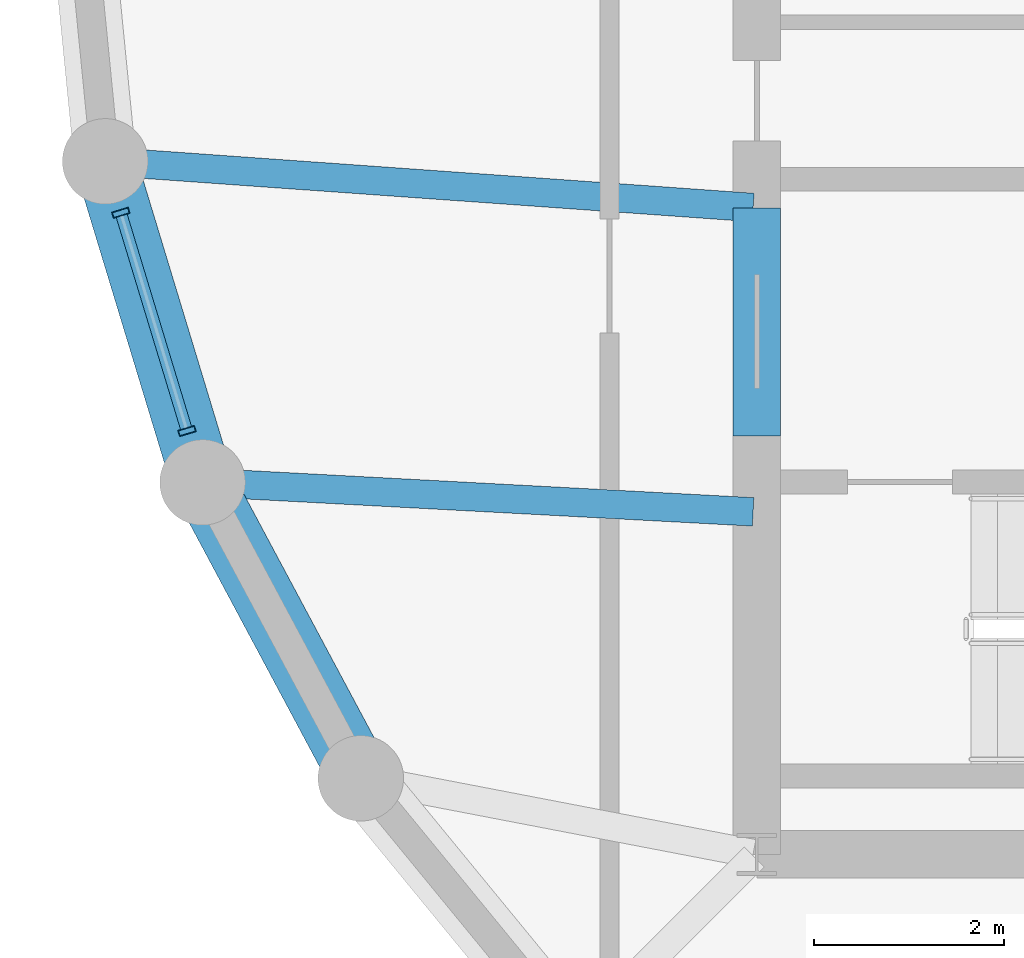
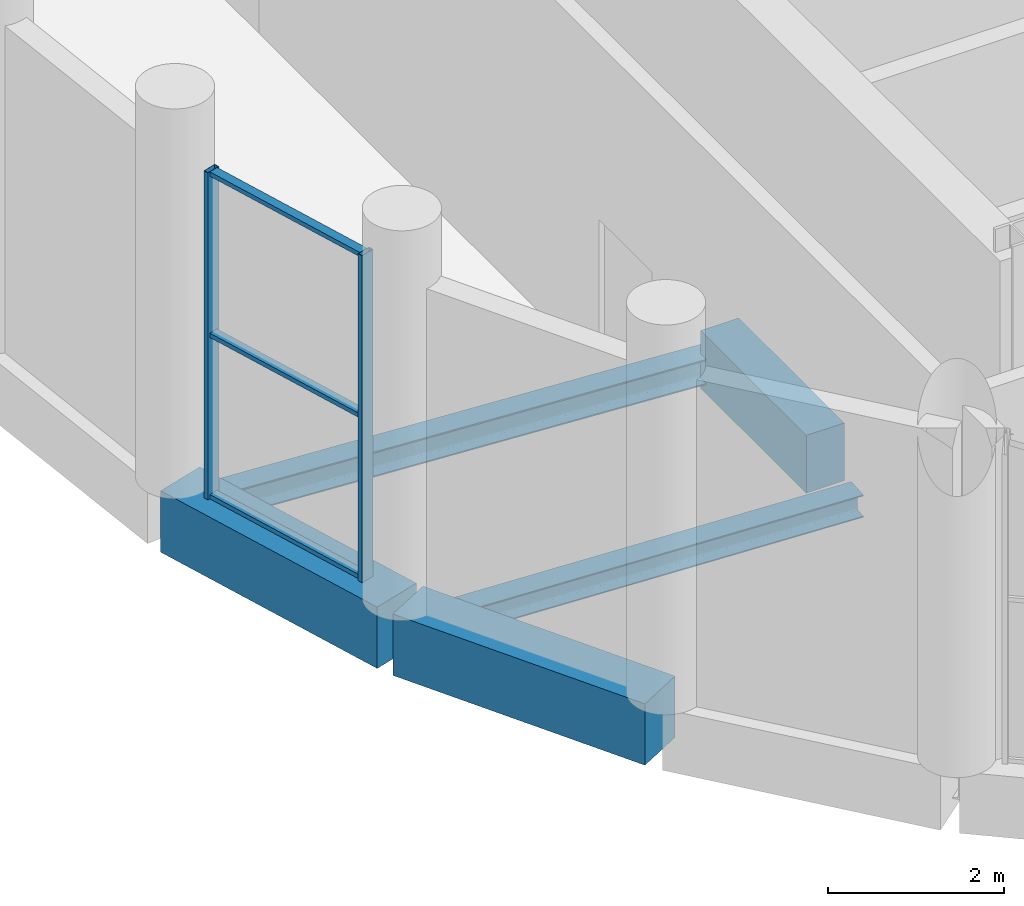
# One storey, part 3 of 19: 5 beams, 5 members, 1 element without a shape of its own.
"""IFC4 building model written with IfcOpenShell, lengths in metres."""

from ifc_helpers import new_model, si_unit, direction, frame, origin, origin_2d, place, context, subcontext, project, spatial, rectangle, hollow_rectangle, i_section, extrude, material, layer, layer_set, material_profile, profile_set, type_object, element, aggregate, save


model = new_model("IFC4")

# Units and contexts
model_context = context("Model", 3, precision=1e-05, world=origin(), true_north=direction((0.0, 1.0)))
body_context = subcontext(model_context, "Body", "Model", "MODEL_VIEW")
ifc_project = project(units=[si_unit("LENGTHUNIT", "METRE"), si_unit("AREAUNIT", "SQUARE_METRE"), si_unit("VOLUMEUNIT", "CUBIC_METRE"), si_unit("PLANEANGLEUNIT", "RADIAN"), si_unit("MASSUNIT", "GRAM", prefix="KILO")], contexts=[model_context])

# Site, building, storey
site_placement = place(None, origin())
site = spatial("IfcSite", under=ifc_project, at=site_placement, CompositionType="ELEMENT")
building_placement = place(site_placement, origin())
building = spatial("IfcBuilding", under=site, at=building_placement, Name="Solnavia Interchange Tower", CompositionType="ELEMENT")
storey_placement = place(building_placement, frame((0.0, 0.0, 169.39990234375)))
storey = spatial("IfcBuildingStorey", under=building, at=storey_placement, Name="L42", CompositionType="ELEMENT", Elevation=169.39990234375)

# Beams
ifc_material_1 = material(Name="Concrete C50/60", Category="concrete")
ifc_material_profile_1 = material_profile(ifc_material_1, rectangle(XDim=0.5, YDim=0.800048828125, at=origin_2d()), Name="RC 500x800")
ifc_profile_set_1 = profile_set([ifc_material_profile_1], Name="Concrete C50/60")
beam_type_1 = type_object("IfcBeamType", Name="Beam-Coupling-RC500x800", PredefinedType="LINTEL", material=ifc_profile_set_1)
beam_1_placement = place(storey_placement, frame((14.39990234375, 15.199951171875, -0.39990234375), z_axis=(0.0, 1.0, 0.0), x_axis=(-1.0, 0.0, 0.0)))
element("IfcBeam", 1, at=beam_1_placement, inside=storey, type_object=beam_type_1, Name="CPB-L42-W1 Core coupling lintel beam", PredefinedType="LINTEL", context=body_context, shape_type="SweptSolid", body=[
    extrude(rectangle(XDim=0.5, YDim=0.800048828125, at=origin_2d()), origin(), (0.0, 0.0, 1.0), 2.400146484375),
])
ifc_material_2 = material(Name="Steel S355", Category="steel")
ifc_material_profile_2 = material_profile(ifc_material_2, i_section(OverallWidth=0.300048828125, OverallDepth=0.31005859375, WebThickness=0.009033203125, FlangeThickness=0.015380859375, FilletRadius=0.027099609375, at=origin_2d()), Name="HEA 320")
ifc_profile_set_2 = profile_set([ifc_material_profile_2], Name="Steel S355")
beam_type_2 = type_object("IfcBeamType", Name="Beam-Primary-HEA320", PredefinedType="BEAM", material=ifc_profile_set_2)
beam_2_placement = place(storey_placement, frame((8.64990234375, 14.707763671875, -0.474853515625), z_axis=(0.998570371303, -0.053452909696, 0.0), x_axis=(0.053452909696, 0.998570371303, 0.0)))
element("IfcBeam", 2, at=beam_2_placement, inside=storey, type_object=beam_type_2, Name="GRD-L42-DR15 Drum radial floor girder", PredefinedType="BEAM", context=body_context, shape_type="SweptSolid", body=[
    extrude(i_section(OverallWidth=0.300048828125, OverallDepth=0.31005859375, WebThickness=0.009033203125, FlangeThickness=0.015380859375, FilletRadius=0.027099609375, at=origin_2d()), origin(), (0.0, 0.0, 1.0), 5.71826171875),
])
ifc_material_profile_3 = material_profile(ifc_material_2, i_section(OverallWidth=0.300048828125, OverallDepth=0.35009765625, WebThickness=0.010009765625, FlangeThickness=0.017578125, FilletRadius=0.027099609375, at=origin_2d()), Name="HEA 360")
ifc_profile_set_3 = profile_set([ifc_material_profile_3], Name="Steel S355")
beam_type_3 = type_object("IfcBeamType", Name="Beam-Primary-HEA360", PredefinedType="BEAM", material=ifc_profile_set_3)
beam_3_placement = place(storey_placement, frame((7.625732421875, 18.082275390625, -0.494873046875), z_axis=(0.99747482749, -0.071020902015, 0.0), x_axis=(0.071020902015, 0.99747482749, 0.0)))
element("IfcBeam", 3, at=beam_3_placement, inside=storey, type_object=beam_type_3, Name="GRD-L42-DR14 Drum radial floor girder", PredefinedType="BEAM", context=body_context, shape_type="SweptSolid", body=[
    extrude(i_section(OverallWidth=0.300048828125, OverallDepth=0.35009765625, WebThickness=0.010009765625, FlangeThickness=0.017578125, FilletRadius=0.027099609375, at=origin_2d()), origin(), (0.0, 0.0, 1.0), 6.75146484375),
])
ifc_material_profile_4 = material_profile(ifc_material_1, rectangle(XDim=0.64990234375, YDim=0.85009765625, at=origin_2d()), Name="RC 650x850")
ifc_profile_set_4 = profile_set([ifc_material_profile_4], Name="Concrete C50/60")
beam_type_4 = type_object("IfcBeamType", Name="Beam-Spandrel-RC650x850", PredefinedType="SPANDREL", material=ifc_profile_set_4)
beam_4_placement = place(storey_placement, frame((7.569091796875, 18.011474609375, -0.4248046875), z_axis=(0.290319223646, -0.956929855518, 0.0), x_axis=(0.956929855518, 0.290319223646, 0.0)))
element("IfcBeam", 4, at=beam_4_placement, inside=storey, type_object=beam_type_4, Name="SPB-L42-02 Framed-tube perimeter spandrel beam", PredefinedType="SPANDREL", context=body_context, shape_type="SweptSolid", body=[
    extrude(rectangle(XDim=0.64990234375, YDim=0.85009765625, at=origin_2d()), origin(), (0.0, 0.0, 1.0), 3.367919921875),
])
beam_5_placement = place(storey_placement, frame((8.607666015625, 14.6416015625, -0.4248046875), z_axis=(0.471509422952, -0.881861023102, 0.0), x_axis=(0.881861023102, 0.471509422952, 0.0)))
element("IfcBeam", 5, at=beam_5_placement, inside=storey, type_object=beam_type_4, Name="SPB-L42-03 Framed-tube perimeter spandrel beam", PredefinedType="SPANDREL", context=body_context, shape_type="SweptSolid", body=[
    extrude(rectangle(XDim=0.64990234375, YDim=0.85009765625, at=origin_2d()), origin(), (0.0, 0.0, 1.0), 3.369140625),
])

# Curtain wall, members
ifc_material_3 = material(Name="Aluminium Alloy 6063-T6", Category="aluminium")
ifc_layer = layer(ifc_material_3, 0.199951171875)
ifc_layer_set = layer_set([ifc_layer], Name="Aluminium Alloy 6063-T6")
curtain_wall_type = type_object("IfcCurtainWallType", Name="CurtainWall-Louvre-CTW5", PredefinedType="NOTDEFINED", material=ifc_layer_set)
curtain_wall_placement = place(storey_placement, origin())
curtain_wall = element("IfcCurtainWall", 6, at=curtain_wall_placement, inside=storey, type_object=curtain_wall_type, Name="CTW-L42-L48 CTW-5 curtain wall", PredefinedType="NOTDEFINED")
ifc_material_profile_5 = material_profile(ifc_material_3, hollow_rectangle(XDim=0.06494140625, YDim=0.179931640625, WallThickness=0.00439453125, at=origin_2d()), Name="ALU 180x65x4.5")
ifc_profile_set_5 = profile_set([ifc_material_profile_5], Name="Aluminium Alloy 6063-T6")
member_type_1 = type_object("IfcMemberType", Name="CW-Mullion-CWM-5", PredefinedType="MULLION", material=ifc_profile_set_5)
member_1_placement = place(storey_placement, frame((7.7099609375, 17.54736328125, 0.0), z_axis=(0.0, 0.0, 1.0), x_axis=(0.290237282649, -0.956954711447, 0.0)))
member_1 = element("IfcMember", 7, at=member_1_placement, type_object=member_type_1, Name="CTW-5 mullion 1", PredefinedType="MULLION", context=body_context, shape_type="SweptSolid", body=[
    extrude(hollow_rectangle(XDim=0.06494140625, YDim=0.179931640625, WallThickness=0.00439453125, at=origin_2d()), origin(), (0.0, 0.0, 1.0), 4.530029296875),
])
member_2_placement = place(storey_placement, frame((8.406005859375, 15.252685546875, 0.0), z_axis=(0.0, 0.0, 1.0), x_axis=(0.290237282649, -0.956954711447, 0.0)))
member_2 = element("IfcMember", 8, at=member_2_placement, type_object=member_type_1, Name="CTW-5 mullion 2", PredefinedType="MULLION", context=body_context, shape_type="SweptSolid", body=[
    extrude(hollow_rectangle(XDim=0.06494140625, YDim=0.179931640625, WallThickness=0.00439453125, at=origin_2d()), origin(), (0.0, 0.0, 1.0), 4.530029296875),
])
ifc_material_profile_6 = material_profile(ifc_material_3, hollow_rectangle(XDim=0.06005859375, YDim=0.1201171875, WallThickness=0.00390625, at=origin_2d()), Name="ALU 120x60x4")
ifc_profile_set_6 = profile_set([ifc_material_profile_6], Name="Aluminium Alloy 6063-T6")
member_type_2 = type_object("IfcMemberType", Name="CW-Transom-CWT-5", PredefinedType="USERDEFINED", material=ifc_profile_set_6)
member_3_placement = place(storey_placement, frame((7.719482421875, 17.51611328125, 0.030029296875), z_axis=(0.29020780862, -0.956963650206, 0.0), x_axis=(0.0, 0.0, 1.0)))
member_3 = element("IfcMember", 9, at=member_3_placement, type_object=member_type_2, Name="CTW-5 transom 1.1", ObjectType="TRANSOM", PredefinedType="USERDEFINED", context=body_context, shape_type="SweptSolid", body=[
    extrude(hollow_rectangle(XDim=0.06005859375, YDim=0.1201171875, WallThickness=0.00390625, at=origin_2d()), origin(), (0.0, 0.0, 1.0), 2.332763671875),
])
member_4_placement = place(storey_placement, frame((7.719482421875, 17.51611328125, 2.26513671875), z_axis=(0.29020780862, -0.956963650206, 0.0), x_axis=(0.0, 0.0, 1.0)))
member_4 = element("IfcMember", 10, at=member_4_placement, type_object=member_type_2, Name="CTW-5 transom 1.2", ObjectType="TRANSOM", PredefinedType="USERDEFINED", context=body_context, shape_type="SweptSolid", body=[
    extrude(hollow_rectangle(XDim=0.06005859375, YDim=0.1201171875, WallThickness=0.00390625, at=origin_2d()), origin(), (0.0, 0.0, 1.0), 2.332763671875),
])
member_5_placement = place(storey_placement, frame((7.719482421875, 17.51611328125, 4.5), z_axis=(0.29020780862, -0.956963650206, 0.0), x_axis=(0.0, 0.0, 1.0)))
member_5 = element("IfcMember", 11, at=member_5_placement, type_object=member_type_2, Name="CTW-5 transom 1.3", ObjectType="TRANSOM", PredefinedType="USERDEFINED", context=body_context, shape_type="SweptSolid", body=[
    extrude(hollow_rectangle(XDim=0.06005859375, YDim=0.1201171875, WallThickness=0.00390625, at=origin_2d()), origin(), (0.0, 0.0, 1.0), 2.332763671875),
])
aggregate(curtain_wall, [member_1, member_2, member_3, member_4, member_5])

save(model, "model.ifc")
